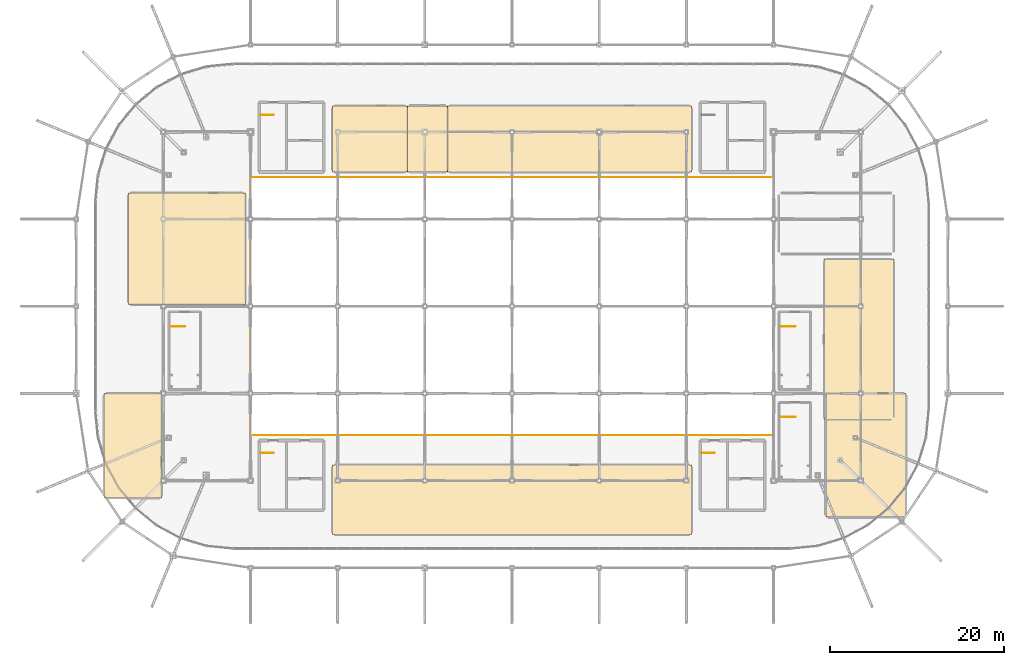
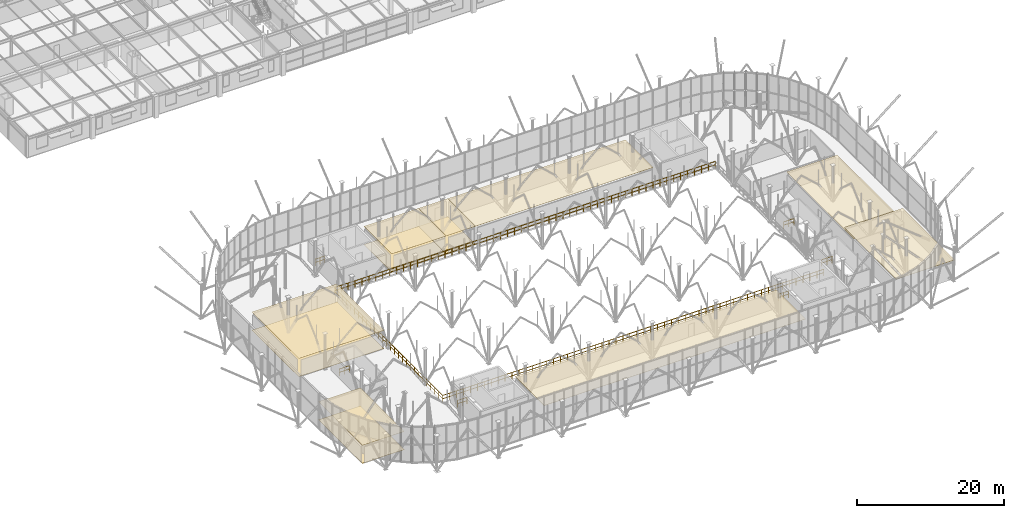
# One storey, part 105 of 109: 12 coverings, 9 railings.
"""IFC4 building model written with IfcOpenShell, lengths in metres."""

from ifc_helpers import new_model, si_unit, derived_unit, direction, frame, origin, origin_2d_with_axis, place, context, subcontext, project, spatial, polyline, circle, outline, extrude, material, layer, layer_set, type_object, element, save


model = new_model("IFC4")

# Units and contexts
model_context = context("Model", 3, precision=1e-05, world=origin(), true_north=direction((0.0, 1.0)))
body_context = subcontext(model_context, "Body", "Model", "MODEL_VIEW")
ifc_project = project(units=[si_unit("LENGTHUNIT", "METRE"), si_unit("AREAUNIT", "SQUARE_METRE"), si_unit("VOLUMEUNIT", "CUBIC_METRE"), si_unit("PLANEANGLEUNIT", "RADIAN"), si_unit("MASSUNIT", "GRAM", prefix="KILO"), derived_unit("THERMALTRANSMITTANCEUNIT", [(si_unit("POWERUNIT", "WATT"), 1), (si_unit("LENGTHUNIT", "METRE"), -2), (si_unit("THERMODYNAMICTEMPERATUREUNIT", "KELVIN"), -1)])], contexts=[model_context])

# Site, building, storey
site_placement = place(None, origin())
site = spatial("IfcSite", under=ifc_project, at=site_placement, CompositionType="ELEMENT")
building_placement = place(site_placement, origin())
building = spatial("IfcBuilding", under=site, at=building_placement, Name="Cinnabar Yard Market Hall", CompositionType="ELEMENT")
storey_placement = place(building_placement, frame((0.0, 0.0, 8.39990234375)))
storey = spatial("IfcBuildingStorey", under=building, at=storey_placement, Name="L02", CompositionType="ELEMENT", Elevation=8.39990234375)

# Coverings
ifc_material_1 = material(Name="Perforated acoustic spotted-gum timber slats", Category="wood")
ifc_layer_1 = layer(ifc_material_1, 0.0400390625)
ifc_layer_set_1 = layer_set([ifc_layer_1], Name="Perforated acoustic spotted-gum timber slats")
covering_type_1 = type_object("IfcCoveringType", Name="COV-CLG1", PredefinedType="CEILING", material=ifc_layer_set_1)
covering_1_placement = place(storey_placement, frame((0.0, 0.0, 3.0)))
element("IfcCovering", 1, at=covering_1_placement, inside=storey, type_object=covering_type_1, Name="Ceiling Upper Balcony South Culinary Promenade", PredefinedType="CEILING", context=body_context, shape_type="SweptSolid", body=[
    extrude(outline(polyline([(95.39990234375, 17.800048828125), (136.60009765625, 17.800048828125), (136.60009765625, 25.800048828125), (95.39990234375, 25.800048828125), (95.39990234375, 17.800048828125)])), origin(), (0.0, 0.0, 1.0), 0.03515625),
])
covering_2_placement = place(storey_placement, frame((0.0, 0.0, 3.0)))
element("IfcCovering", 2, at=covering_2_placement, inside=storey, type_object=covering_type_1, Name="Ceiling Upper North-West Tasting Gallery", PredefinedType="CEILING", context=body_context, shape_type="SweptSolid", body=[
    extrude(outline(polyline([(95.39990234375, 59.39990234375), (104.0, 59.39990234375), (104.0, 67.0), (95.39990234375, 67.0), (95.39990234375, 59.39990234375)])), origin(), (0.0, 0.0, 1.0), 0.03515625),
])
covering_3_placement = place(storey_placement, frame((0.0, 0.0, 3.0)))
element("IfcCovering", 3, at=covering_3_placement, inside=storey, type_object=covering_type_1, Name="Ceiling Upper North-East Botanical Lounge", PredefinedType="CEILING", context=body_context, shape_type="SweptSolid", body=[
    extrude(outline(polyline([(108.60009765625, 59.39990234375), (136.60009765625, 59.39990234375), (136.60009765625, 67.0), (108.60009765625, 67.0), (108.60009765625, 59.39990234375)])), origin(), (0.0, 0.0, 1.0), 0.03515625),
])
covering_4_placement = place(storey_placement, frame((0.0, 0.0, 3.0)))
element("IfcCovering", 4, at=covering_4_placement, inside=storey, type_object=covering_type_1, Name="Ceiling Upper West Mughal Dining Pavilion", PredefinedType="CEILING", context=body_context, shape_type="SweptSolid", body=[
    extrude(outline(polyline([(72.0, 44.199951171875), (85.39990234375, 44.199951171875), (85.39990234375, 57.0), (72.0, 57.0), (72.0, 44.199951171875)])), origin(), (0.0, 0.0, 1.0), 0.03515625),
])
covering_5_placement = place(storey_placement, frame((0.0, 0.0, 3.0)))
element("IfcCovering", 5, at=covering_5_placement, inside=storey, type_object=covering_type_1, Name="Ceiling Upper East Regional Feast Room", PredefinedType="CEILING", context=body_context, shape_type="SweptSolid", body=[
    extrude(outline(polyline([(151.800048828125, 31.0), (159.800048828125, 31.0), (159.800048828125, 49.39990234375), (151.800048828125, 49.39990234375), (151.800048828125, 31.0)])), origin(), (0.0, 0.0, 1.0), 0.03515625),
])
covering_6_placement = place(storey_placement, frame((0.0, 0.0, 3.0)))
element("IfcCovering", 6, at=covering_6_placement, inside=storey, type_object=covering_type_1, Name="Ceiling Upper West Artisan Tasting Gallery", PredefinedType="CEILING", context=body_context, shape_type="SweptSolid", body=[
    extrude(outline(polyline([(69.199951171875, 22.0), (75.800048828125, 22.0), (75.800048828125, 34.0), (69.199951171875, 34.0), (69.199951171875, 22.0)])), origin(), (0.0, 0.0, 1.0), 0.03515625),
])
covering_7_placement = place(storey_placement, frame((0.0, 0.0, 3.0)))
element("IfcCovering", 7, at=covering_7_placement, inside=storey, type_object=covering_type_1, Name="Ceiling Upper South-East Spice Tasting Gallery", PredefinedType="CEILING", context=body_context, shape_type="SweptSolid", body=[
    extrude(outline(polyline([(152.0, 19.800048828125), (161.199951171875, 19.800048828125), (161.199951171875, 34.0), (152.0, 34.0), (152.0, 19.800048828125)])), origin(), (0.0, 0.0, 1.0), 0.03515625),
])
covering_8_placement = place(storey_placement, frame((0.0, 0.0, 3.0)))
element("IfcCovering", 8, at=covering_8_placement, inside=storey, type_object=covering_type_1, Name="Ceiling Upper North-Central Saffron Gallery", PredefinedType="CEILING", context=body_context, shape_type="SweptSolid", body=[
    extrude(outline(polyline([(104.0, 59.39990234375), (108.60009765625, 59.39990234375), (108.60009765625, 67.0), (104.0, 67.0), (104.0, 59.39990234375)])), origin(), (0.0, 0.0, 1.0), 0.03515625),
])
ifc_material_2 = material(Name="Honed Adelaide red terrazzo flooring")
ifc_layer_2 = layer(ifc_material_2, 0.030029296875)
ifc_layer_set_2 = layer_set([ifc_layer_2], Name="Honed Adelaide red terrazzo flooring")
covering_type_2 = type_object("IfcCoveringType", Name="COV-FLR1", PredefinedType="FLOORING", material=ifc_layer_set_2)
covering_9_placement = place(storey_placement, origin())
element("IfcCovering", 9, at=covering_9_placement, inside=storey, type_object=covering_type_2, Name="Flooring Upper North-West Tasting Gallery", PredefinedType="FLOORING", context=body_context, shape_type="SweptSolid", body=[
    extrude(outline(polyline([(95.39990234375, 59.39990234375), (104.0, 59.39990234375), (104.0, 67.0), (95.39990234375, 67.0), (95.39990234375, 59.39990234375)])), origin(), (0.0, 0.0, 1.0), 0.025146484375),
])
covering_10_placement = place(storey_placement, origin())
element("IfcCovering", 10, at=covering_10_placement, inside=storey, type_object=covering_type_2, Name="Flooring Upper West Mughal Dining Pavilion", PredefinedType="FLOORING", context=body_context, shape_type="SweptSolid", body=[
    extrude(outline(polyline([(72.0, 44.199951171875), (85.39990234375, 44.199951171875), (85.39990234375, 57.0), (72.0, 57.0), (72.0, 44.199951171875)])), origin(), (0.0, 0.0, 1.0), 0.025146484375),
])
ifc_material_3 = material(Name="Slip-resistant commercial quarry tile")
ifc_layer_3 = layer(ifc_material_3, 0.02490234375)
ifc_layer_set_3 = layer_set([ifc_layer_3], Name="Slip-resistant commercial quarry tile")
covering_type_3 = type_object("IfcCoveringType", Name="COV-FLR2", PredefinedType="FLOORING", material=ifc_layer_set_3)
covering_11_placement = place(storey_placement, origin())
element("IfcCovering", 11, at=covering_11_placement, inside=storey, type_object=covering_type_3, Name="Flooring Upper West Artisan Tasting Gallery", PredefinedType="FLOORING", context=body_context, shape_type="SweptSolid", body=[
    extrude(outline(polyline([(69.199951171875, 22.0), (75.800048828125, 22.0), (75.800048828125, 34.0), (69.199951171875, 34.0), (69.199951171875, 22.0)])), origin(), (0.0, 0.0, 1.0), 0.025146484375),
])
covering_12_placement = place(storey_placement, origin())
element("IfcCovering", 12, at=covering_12_placement, inside=storey, type_object=covering_type_3, Name="Flooring Upper North-Central Saffron Gallery", PredefinedType="FLOORING", context=body_context, shape_type="SweptSolid", body=[
    extrude(outline(polyline([(104.0, 59.39990234375), (108.60009765625, 59.39990234375), (108.60009765625, 67.0), (104.0, 67.0), (104.0, 59.39990234375)])), origin(), (0.0, 0.0, 1.0), 0.025146484375),
])

# Railings
ifc_material_4 = material(Name="Laminated glass and bronze handrail", Category="glass")
ifc_layer_4 = layer(ifc_material_4, 0.070068359375)
ifc_layer_set_4 = layer_set([ifc_layer_4], Name="Laminated glass and bronze handrail")
railing_type_1 = type_object("IfcRailingType", Name="RL-G01", PredefinedType="BALUSTRADE", material=ifc_layer_set_4)
for number, where, name in (
    (13, (76.89990234375, 41.699951171875, 0.0), "L02 ST-F1 top well guard 1"),
    (14, (146.89990234375, 41.699951171875, 0.0), "L02 ST-F2 top well guard 1"),
    (15, (146.89990234375, 31.300048828125, 0.0), "L02 ST-F5 top well guard 1"),
):
    element("IfcRailing", number, at=place(storey_placement, frame(where)), inside=storey, type_object=railing_type_1, Name=name, PredefinedType="BALUSTRADE", context=body_context, shape_type="SweptSolid", body=[
        extrude(circle(Radius=0.02392578125, at=origin_2d_with_axis()), frame((0.0, 0.0, 1.09619140625), z_axis=(1.0, 0.0, 0.0), x_axis=(0.0, 1.0, 0.0)), (0.0, 0.0, 1.0), 1.610107421875),
        extrude(circle(Radius=0.02392578125, at=origin_2d_with_axis()), frame((0.0, 0.0, 0.550048828125), z_axis=(1.0, 0.0, 0.0), x_axis=(0.0, 1.0, 0.0)), (0.0, 0.0, 1.0), 1.610107421875),
        extrude(circle(Radius=0.02099609375, at=origin_2d_with_axis()), origin(), (0.0, 0.0, 1.0), 1.072021484375),
        extrude(circle(Radius=0.02099609375, at=origin_2d_with_axis()), frame((0.80517578125, 0.0, 0.0)), (0.0, 0.0, 1.0), 1.072021484375),
        extrude(circle(Radius=0.02099609375, at=origin_2d_with_axis()), frame((1.610107421875, 0.0, 0.0)), (0.0, 0.0, 1.0), 1.072021484375),
    ])
railing_1_placement = place(storey_placement, frame((86.0, 29.199951171875, 0.0)))
element("IfcRailing", 16, at=railing_1_placement, inside=storey, type_object=railing_type_1, Name="L02 Upper Balcony Void Balustrade 1", PredefinedType="BALUSTRADE", context=body_context, shape_type="SweptSolid", body=[
    extrude(circle(Radius=0.02392578125, at=origin_2d_with_axis()), frame((0.0, 0.0, 1.09619140625), z_axis=(1.0, 0.0, 0.0), x_axis=(0.0, 1.0, 0.0)), (0.0, 0.0, 1.0), 60.0),
    extrude(circle(Radius=0.02392578125, at=origin_2d_with_axis()), frame((0.0, 0.0, 0.550048828125), z_axis=(1.0, 0.0, 0.0), x_axis=(0.0, 1.0, 0.0)), (0.0, 0.0, 1.0), 60.0),
    extrude(circle(Radius=0.02099609375, at=origin_2d_with_axis()), origin(), (0.0, 0.0, 1.0), 1.072021484375),
    extrude(circle(Radius=0.02099609375, at=origin_2d_with_axis()), frame((1.0908203125, 0.0, 0.0)), (0.0, 0.0, 1.0), 1.072021484375),
    extrude(circle(Radius=0.02099609375, at=origin_2d_with_axis()), frame((2.181884765625, 0.0, 0.0)), (0.0, 0.0, 1.0), 1.072021484375),
    extrude(circle(Radius=0.02099609375, at=origin_2d_with_axis()), frame((3.272705078125, 0.0, 0.0)), (0.0, 0.0, 1.0), 1.072021484375),
    extrude(circle(Radius=0.02099609375, at=origin_2d_with_axis()), frame((4.363525390625, 0.0, 0.0)), (0.0, 0.0, 1.0), 1.072021484375),
    extrude(circle(Radius=0.02099609375, at=origin_2d_with_axis()), frame((5.45458984375, 0.0, 0.0)), (0.0, 0.0, 1.0), 1.072021484375),
    extrude(circle(Radius=0.02099609375, at=origin_2d_with_axis()), frame((6.54541015625, 0.0, 0.0)), (0.0, 0.0, 1.0), 1.072021484375),
    extrude(circle(Radius=0.02099609375, at=origin_2d_with_axis()), frame((7.636474609375, 0.0, 0.0)), (0.0, 0.0, 1.0), 1.072021484375),
    extrude(circle(Radius=0.02099609375, at=origin_2d_with_axis()), frame((8.727294921875, 0.0, 0.0)), (0.0, 0.0, 1.0), 1.072021484375),
    extrude(circle(Radius=0.02099609375, at=origin_2d_with_axis()), frame((9.818115234375, 0.0, 0.0)), (0.0, 0.0, 1.0), 1.072021484375),
    extrude(circle(Radius=0.02099609375, at=origin_2d_with_axis()), frame((10.9091796875, 0.0, 0.0)), (0.0, 0.0, 1.0), 1.072021484375),
    extrude(circle(Radius=0.02099609375, at=origin_2d_with_axis()), frame((12.0, 0.0, 0.0)), (0.0, 0.0, 1.0), 1.072021484375),
    extrude(circle(Radius=0.02099609375, at=origin_2d_with_axis()), frame((13.0908203125, 0.0, 0.0)), (0.0, 0.0, 1.0), 1.072021484375),
    extrude(circle(Radius=0.02099609375, at=origin_2d_with_axis()), frame((14.181884765625, 0.0, 0.0)), (0.0, 0.0, 1.0), 1.072021484375),
    extrude(circle(Radius=0.02099609375, at=origin_2d_with_axis()), frame((15.272705078125, 0.0, 0.0)), (0.0, 0.0, 1.0), 1.072021484375),
    extrude(circle(Radius=0.02099609375, at=origin_2d_with_axis()), frame((16.363525390625, 0.0, 0.0)), (0.0, 0.0, 1.0), 1.072021484375),
    extrude(circle(Radius=0.02099609375, at=origin_2d_with_axis()), frame((17.45458984375, 0.0, 0.0)), (0.0, 0.0, 1.0), 1.072021484375),
    extrude(circle(Radius=0.02099609375, at=origin_2d_with_axis()), frame((18.54541015625, 0.0, 0.0)), (0.0, 0.0, 1.0), 1.072021484375),
    extrude(circle(Radius=0.02099609375, at=origin_2d_with_axis()), frame((19.636474609375, 0.0, 0.0)), (0.0, 0.0, 1.0), 1.072021484375),
    extrude(circle(Radius=0.02099609375, at=origin_2d_with_axis()), frame((20.727294921875, 0.0, 0.0)), (0.0, 0.0, 1.0), 1.072021484375),
    extrude(circle(Radius=0.02099609375, at=origin_2d_with_axis()), frame((21.818115234375, 0.0, 0.0)), (0.0, 0.0, 1.0), 1.072021484375),
    extrude(circle(Radius=0.02099609375, at=origin_2d_with_axis()), frame((22.9091796875, 0.0, 0.0)), (0.0, 0.0, 1.0), 1.072021484375),
    extrude(circle(Radius=0.02099609375, at=origin_2d_with_axis()), frame((24.0, 0.0, 0.0)), (0.0, 0.0, 1.0), 1.072021484375),
    extrude(circle(Radius=0.02099609375, at=origin_2d_with_axis()), frame((25.0908203125, 0.0, 0.0)), (0.0, 0.0, 1.0), 1.072021484375),
    extrude(circle(Radius=0.02099609375, at=origin_2d_with_axis()), frame((26.181884765625, 0.0, 0.0)), (0.0, 0.0, 1.0), 1.072021484375),
    extrude(circle(Radius=0.02099609375, at=origin_2d_with_axis()), frame((27.272705078125, 0.0, 0.0)), (0.0, 0.0, 1.0), 1.072021484375),
    extrude(circle(Radius=0.02099609375, at=origin_2d_with_axis()), frame((28.363525390625, 0.0, 0.0)), (0.0, 0.0, 1.0), 1.072021484375),
    extrude(circle(Radius=0.02099609375, at=origin_2d_with_axis()), frame((29.45458984375, 0.0, 0.0)), (0.0, 0.0, 1.0), 1.072021484375),
    extrude(circle(Radius=0.02099609375, at=origin_2d_with_axis()), frame((30.54541015625, 0.0, 0.0)), (0.0, 0.0, 1.0), 1.072021484375),
    extrude(circle(Radius=0.02099609375, at=origin_2d_with_axis()), frame((31.636474609375, 0.0, 0.0)), (0.0, 0.0, 1.0), 1.072021484375),
    extrude(circle(Radius=0.02099609375, at=origin_2d_with_axis()), frame((32.727294921875, 0.0, 0.0)), (0.0, 0.0, 1.0), 1.072021484375),
    extrude(circle(Radius=0.02099609375, at=origin_2d_with_axis()), frame((33.818115234375, 0.0, 0.0)), (0.0, 0.0, 1.0), 1.072021484375),
    extrude(circle(Radius=0.02099609375, at=origin_2d_with_axis()), frame((34.9091796875, 0.0, 0.0)), (0.0, 0.0, 1.0), 1.072021484375),
    extrude(circle(Radius=0.02099609375, at=origin_2d_with_axis()), frame((36.0, 0.0, 0.0)), (0.0, 0.0, 1.0), 1.072021484375),
    extrude(circle(Radius=0.02099609375, at=origin_2d_with_axis()), frame((37.0908203125, 0.0, 0.0)), (0.0, 0.0, 1.0), 1.072021484375),
    extrude(circle(Radius=0.02099609375, at=origin_2d_with_axis()), frame((38.181884765625, 0.0, 0.0)), (0.0, 0.0, 1.0), 1.072021484375),
    extrude(circle(Radius=0.02099609375, at=origin_2d_with_axis()), frame((39.272705078125, 0.0, 0.0)), (0.0, 0.0, 1.0), 1.072021484375),
    extrude(circle(Radius=0.02099609375, at=origin_2d_with_axis()), frame((40.363525390625, 0.0, 0.0)), (0.0, 0.0, 1.0), 1.072021484375),
    extrude(circle(Radius=0.02099609375, at=origin_2d_with_axis()), frame((41.45458984375, 0.0, 0.0)), (0.0, 0.0, 1.0), 1.072021484375),
    extrude(circle(Radius=0.02099609375, at=origin_2d_with_axis()), frame((42.54541015625, 0.0, 0.0)), (0.0, 0.0, 1.0), 1.072021484375),
    extrude(circle(Radius=0.02099609375, at=origin_2d_with_axis()), frame((43.636474609375, 0.0, 0.0)), (0.0, 0.0, 1.0), 1.072021484375),
    extrude(circle(Radius=0.02099609375, at=origin_2d_with_axis()), frame((44.727294921875, 0.0, 0.0)), (0.0, 0.0, 1.0), 1.072021484375),
    extrude(circle(Radius=0.02099609375, at=origin_2d_with_axis()), frame((45.818115234375, 0.0, 0.0)), (0.0, 0.0, 1.0), 1.072021484375),
    extrude(circle(Radius=0.02099609375, at=origin_2d_with_axis()), frame((46.9091796875, 0.0, 0.0)), (0.0, 0.0, 1.0), 1.072021484375),
    extrude(circle(Radius=0.02099609375, at=origin_2d_with_axis()), frame((48.0, 0.0, 0.0)), (0.0, 0.0, 1.0), 1.072021484375),
    extrude(circle(Radius=0.02099609375, at=origin_2d_with_axis()), frame((49.0908203125, 0.0, 0.0)), (0.0, 0.0, 1.0), 1.072021484375),
    extrude(circle(Radius=0.02099609375, at=origin_2d_with_axis()), frame((50.181884765625, 0.0, 0.0)), (0.0, 0.0, 1.0), 1.072021484375),
    extrude(circle(Radius=0.02099609375, at=origin_2d_with_axis()), frame((51.272705078125, 0.0, 0.0)), (0.0, 0.0, 1.0), 1.072021484375),
    extrude(circle(Radius=0.02099609375, at=origin_2d_with_axis()), frame((52.363525390625, 0.0, 0.0)), (0.0, 0.0, 1.0), 1.072021484375),
    extrude(circle(Radius=0.02099609375, at=origin_2d_with_axis()), frame((53.45458984375, 0.0, 0.0)), (0.0, 0.0, 1.0), 1.072021484375),
    extrude(circle(Radius=0.02099609375, at=origin_2d_with_axis()), frame((54.54541015625, 0.0, 0.0)), (0.0, 0.0, 1.0), 1.072021484375),
    extrude(circle(Radius=0.02099609375, at=origin_2d_with_axis()), frame((55.636474609375, 0.0, 0.0)), (0.0, 0.0, 1.0), 1.072021484375),
    extrude(circle(Radius=0.02099609375, at=origin_2d_with_axis()), frame((56.727294921875, 0.0, 0.0)), (0.0, 0.0, 1.0), 1.072021484375),
    extrude(circle(Radius=0.02099609375, at=origin_2d_with_axis()), frame((57.818115234375, 0.0, 0.0)), (0.0, 0.0, 1.0), 1.072021484375),
    extrude(circle(Radius=0.02099609375, at=origin_2d_with_axis()), frame((58.9091796875, 0.0, 0.0)), (0.0, 0.0, 1.0), 1.072021484375),
    extrude(circle(Radius=0.02099609375, at=origin_2d_with_axis()), frame((60.0, 0.0, 0.0)), (0.0, 0.0, 1.0), 1.072021484375),
])
railing_2_placement = place(storey_placement, frame((146.0, 58.800048828125, 0.0)))
element("IfcRailing", 17, at=railing_2_placement, inside=storey, type_object=railing_type_1, Name="L02 Upper Balcony Void Balustrade 3", PredefinedType="BALUSTRADE", context=body_context, shape_type="SweptSolid", body=[
    extrude(circle(Radius=0.02392578125, at=origin_2d_with_axis()), frame((0.0, 0.0, 1.09619140625), z_axis=(-1.0, 0.0, 0.0), x_axis=(0.0, -1.0, 0.0)), (0.0, 0.0, 1.0), 60.0),
    extrude(circle(Radius=0.02392578125, at=origin_2d_with_axis()), frame((0.0, 0.0, 0.550048828125), z_axis=(-1.0, 0.0, 0.0), x_axis=(0.0, -1.0, 0.0)), (0.0, 0.0, 1.0), 60.0),
    extrude(circle(Radius=0.02099609375, at=origin_2d_with_axis()), origin(), (0.0, 0.0, 1.0), 1.072021484375),
    extrude(circle(Radius=0.02099609375, at=origin_2d_with_axis()), frame((-1.0908203125, 0.0, 0.0)), (0.0, 0.0, 1.0), 1.072021484375),
    extrude(circle(Radius=0.02099609375, at=origin_2d_with_axis()), frame((-2.181884765625, 0.0, 0.0)), (0.0, 0.0, 1.0), 1.072021484375),
    extrude(circle(Radius=0.02099609375, at=origin_2d_with_axis()), frame((-3.272705078125, 0.0, 0.0)), (0.0, 0.0, 1.0), 1.072021484375),
    extrude(circle(Radius=0.02099609375, at=origin_2d_with_axis()), frame((-4.363525390625, 0.0, 0.0)), (0.0, 0.0, 1.0), 1.072021484375),
    extrude(circle(Radius=0.02099609375, at=origin_2d_with_axis()), frame((-5.45458984375, 0.0, 0.0)), (0.0, 0.0, 1.0), 1.072021484375),
    extrude(circle(Radius=0.02099609375, at=origin_2d_with_axis()), frame((-6.54541015625, 0.0, 0.0)), (0.0, 0.0, 1.0), 1.072021484375),
    extrude(circle(Radius=0.02099609375, at=origin_2d_with_axis()), frame((-7.636474609375, 0.0, 0.0)), (0.0, 0.0, 1.0), 1.072021484375),
    extrude(circle(Radius=0.02099609375, at=origin_2d_with_axis()), frame((-8.727294921875, 0.0, 0.0)), (0.0, 0.0, 1.0), 1.072021484375),
    extrude(circle(Radius=0.02099609375, at=origin_2d_with_axis()), frame((-9.818115234375, 0.0, 0.0)), (0.0, 0.0, 1.0), 1.072021484375),
    extrude(circle(Radius=0.02099609375, at=origin_2d_with_axis()), frame((-10.9091796875, 0.0, 0.0)), (0.0, 0.0, 1.0), 1.072021484375),
    extrude(circle(Radius=0.02099609375, at=origin_2d_with_axis()), frame((-12.0, 0.0, 0.0)), (0.0, 0.0, 1.0), 1.072021484375),
    extrude(circle(Radius=0.02099609375, at=origin_2d_with_axis()), frame((-13.0908203125, 0.0, 0.0)), (0.0, 0.0, 1.0), 1.072021484375),
    extrude(circle(Radius=0.02099609375, at=origin_2d_with_axis()), frame((-14.181884765625, 0.0, 0.0)), (0.0, 0.0, 1.0), 1.072021484375),
    extrude(circle(Radius=0.02099609375, at=origin_2d_with_axis()), frame((-15.272705078125, 0.0, 0.0)), (0.0, 0.0, 1.0), 1.072021484375),
    extrude(circle(Radius=0.02099609375, at=origin_2d_with_axis()), frame((-16.363525390625, 0.0, 0.0)), (0.0, 0.0, 1.0), 1.072021484375),
    extrude(circle(Radius=0.02099609375, at=origin_2d_with_axis()), frame((-17.45458984375, 0.0, 0.0)), (0.0, 0.0, 1.0), 1.072021484375),
    extrude(circle(Radius=0.02099609375, at=origin_2d_with_axis()), frame((-18.54541015625, 0.0, 0.0)), (0.0, 0.0, 1.0), 1.072021484375),
    extrude(circle(Radius=0.02099609375, at=origin_2d_with_axis()), frame((-19.636474609375, 0.0, 0.0)), (0.0, 0.0, 1.0), 1.072021484375),
    extrude(circle(Radius=0.02099609375, at=origin_2d_with_axis()), frame((-20.727294921875, 0.0, 0.0)), (0.0, 0.0, 1.0), 1.072021484375),
    extrude(circle(Radius=0.02099609375, at=origin_2d_with_axis()), frame((-21.818115234375, 0.0, 0.0)), (0.0, 0.0, 1.0), 1.072021484375),
    extrude(circle(Radius=0.02099609375, at=origin_2d_with_axis()), frame((-22.9091796875, 0.0, 0.0)), (0.0, 0.0, 1.0), 1.072021484375),
    extrude(circle(Radius=0.02099609375, at=origin_2d_with_axis()), frame((-24.0, 0.0, 0.0)), (0.0, 0.0, 1.0), 1.072021484375),
    extrude(circle(Radius=0.02099609375, at=origin_2d_with_axis()), frame((-25.0908203125, 0.0, 0.0)), (0.0, 0.0, 1.0), 1.072021484375),
    extrude(circle(Radius=0.02099609375, at=origin_2d_with_axis()), frame((-26.181884765625, 0.0, 0.0)), (0.0, 0.0, 1.0), 1.072021484375),
    extrude(circle(Radius=0.02099609375, at=origin_2d_with_axis()), frame((-27.272705078125, 0.0, 0.0)), (0.0, 0.0, 1.0), 1.072021484375),
    extrude(circle(Radius=0.02099609375, at=origin_2d_with_axis()), frame((-28.363525390625, 0.0, 0.0)), (0.0, 0.0, 1.0), 1.072021484375),
    extrude(circle(Radius=0.02099609375, at=origin_2d_with_axis()), frame((-29.45458984375, 0.0, 0.0)), (0.0, 0.0, 1.0), 1.072021484375),
    extrude(circle(Radius=0.02099609375, at=origin_2d_with_axis()), frame((-30.54541015625, 0.0, 0.0)), (0.0, 0.0, 1.0), 1.072021484375),
    extrude(circle(Radius=0.02099609375, at=origin_2d_with_axis()), frame((-31.636474609375, 0.0, 0.0)), (0.0, 0.0, 1.0), 1.072021484375),
    extrude(circle(Radius=0.02099609375, at=origin_2d_with_axis()), frame((-32.727294921875, 0.0, 0.0)), (0.0, 0.0, 1.0), 1.072021484375),
    extrude(circle(Radius=0.02099609375, at=origin_2d_with_axis()), frame((-33.818115234375, 0.0, 0.0)), (0.0, 0.0, 1.0), 1.072021484375),
    extrude(circle(Radius=0.02099609375, at=origin_2d_with_axis()), frame((-34.9091796875, 0.0, 0.0)), (0.0, 0.0, 1.0), 1.072021484375),
    extrude(circle(Radius=0.02099609375, at=origin_2d_with_axis()), frame((-36.0, 0.0, 0.0)), (0.0, 0.0, 1.0), 1.072021484375),
    extrude(circle(Radius=0.02099609375, at=origin_2d_with_axis()), frame((-37.0908203125, 0.0, 0.0)), (0.0, 0.0, 1.0), 1.072021484375),
    extrude(circle(Radius=0.02099609375, at=origin_2d_with_axis()), frame((-38.181884765625, 0.0, 0.0)), (0.0, 0.0, 1.0), 1.072021484375),
    extrude(circle(Radius=0.02099609375, at=origin_2d_with_axis()), frame((-39.272705078125, 0.0, 0.0)), (0.0, 0.0, 1.0), 1.072021484375),
    extrude(circle(Radius=0.02099609375, at=origin_2d_with_axis()), frame((-40.363525390625, 0.0, 0.0)), (0.0, 0.0, 1.0), 1.072021484375),
    extrude(circle(Radius=0.02099609375, at=origin_2d_with_axis()), frame((-41.45458984375, 0.0, 0.0)), (0.0, 0.0, 1.0), 1.072021484375),
    extrude(circle(Radius=0.02099609375, at=origin_2d_with_axis()), frame((-42.54541015625, 0.0, 0.0)), (0.0, 0.0, 1.0), 1.072021484375),
    extrude(circle(Radius=0.02099609375, at=origin_2d_with_axis()), frame((-43.636474609375, 0.0, 0.0)), (0.0, 0.0, 1.0), 1.072021484375),
    extrude(circle(Radius=0.02099609375, at=origin_2d_with_axis()), frame((-44.727294921875, 0.0, 0.0)), (0.0, 0.0, 1.0), 1.072021484375),
    extrude(circle(Radius=0.02099609375, at=origin_2d_with_axis()), frame((-45.818115234375, 0.0, 0.0)), (0.0, 0.0, 1.0), 1.072021484375),
    extrude(circle(Radius=0.02099609375, at=origin_2d_with_axis()), frame((-46.9091796875, 0.0, 0.0)), (0.0, 0.0, 1.0), 1.072021484375),
    extrude(circle(Radius=0.02099609375, at=origin_2d_with_axis()), frame((-48.0, 0.0, 0.0)), (0.0, 0.0, 1.0), 1.072021484375),
    extrude(circle(Radius=0.02099609375, at=origin_2d_with_axis()), frame((-49.0908203125, 0.0, 0.0)), (0.0, 0.0, 1.0), 1.072021484375),
    extrude(circle(Radius=0.02099609375, at=origin_2d_with_axis()), frame((-50.181884765625, 0.0, 0.0)), (0.0, 0.0, 1.0), 1.072021484375),
    extrude(circle(Radius=0.02099609375, at=origin_2d_with_axis()), frame((-51.272705078125, 0.0, 0.0)), (0.0, 0.0, 1.0), 1.072021484375),
    extrude(circle(Radius=0.02099609375, at=origin_2d_with_axis()), frame((-52.363525390625, 0.0, 0.0)), (0.0, 0.0, 1.0), 1.072021484375),
    extrude(circle(Radius=0.02099609375, at=origin_2d_with_axis()), frame((-53.45458984375, 0.0, 0.0)), (0.0, 0.0, 1.0), 1.072021484375),
    extrude(circle(Radius=0.02099609375, at=origin_2d_with_axis()), frame((-54.54541015625, 0.0, 0.0)), (0.0, 0.0, 1.0), 1.072021484375),
    extrude(circle(Radius=0.02099609375, at=origin_2d_with_axis()), frame((-55.636474609375, 0.0, 0.0)), (0.0, 0.0, 1.0), 1.072021484375),
    extrude(circle(Radius=0.02099609375, at=origin_2d_with_axis()), frame((-56.727294921875, 0.0, 0.0)), (0.0, 0.0, 1.0), 1.072021484375),
    extrude(circle(Radius=0.02099609375, at=origin_2d_with_axis()), frame((-57.818115234375, 0.0, 0.0)), (0.0, 0.0, 1.0), 1.072021484375),
    extrude(circle(Radius=0.02099609375, at=origin_2d_with_axis()), frame((-58.9091796875, 0.0, 0.0)), (0.0, 0.0, 1.0), 1.072021484375),
    extrude(circle(Radius=0.02099609375, at=origin_2d_with_axis()), frame((-60.0, 0.0, 0.0)), (0.0, 0.0, 1.0), 1.072021484375),
])
railing_3_placement = place(storey_placement, frame((86.0, 58.800048828125, 0.0)))
element("IfcRailing", 18, at=railing_3_placement, inside=storey, type_object=railing_type_1, Name="L02 Upper Balcony Void Balustrade 4", PredefinedType="BALUSTRADE", context=body_context, shape_type="SweptSolid", body=[
    extrude(circle(Radius=0.02392578125, at=origin_2d_with_axis()), frame((0.0, 0.0, 1.09619140625), z_axis=(0.0, -1.0, 0.0), x_axis=(1.0, 0.0, 0.0)), (0.0, 0.0, 1.0), 29.60009765625),
    extrude(circle(Radius=0.02392578125, at=origin_2d_with_axis()), frame((0.0, 0.0, 0.550048828125), z_axis=(0.0, -1.0, 0.0), x_axis=(1.0, 0.0, 0.0)), (0.0, 0.0, 1.0), 29.60009765625),
    extrude(circle(Radius=0.02099609375, at=origin_2d_with_axis()), origin(), (0.0, 0.0, 1.0), 1.072021484375),
    extrude(circle(Radius=0.02099609375, at=origin_2d_with_axis()), frame((0.0, -1.09619140625, 0.0)), (0.0, 0.0, 1.0), 1.072021484375),
    extrude(circle(Radius=0.02099609375, at=origin_2d_with_axis()), frame((0.0, -2.192626953125, 0.0)), (0.0, 0.0, 1.0), 1.072021484375),
    extrude(circle(Radius=0.02099609375, at=origin_2d_with_axis()), frame((0.0, -3.288818359375, 0.0)), (0.0, 0.0, 1.0), 1.072021484375),
    extrude(circle(Radius=0.02099609375, at=origin_2d_with_axis()), frame((0.0, -4.38525390625, 0.0)), (0.0, 0.0, 1.0), 1.072021484375),
    extrude(circle(Radius=0.02099609375, at=origin_2d_with_axis()), frame((0.0, -5.4814453125, 0.0)), (0.0, 0.0, 1.0), 1.072021484375),
    extrude(circle(Radius=0.02099609375, at=origin_2d_with_axis()), frame((0.0, -6.577880859375, 0.0)), (0.0, 0.0, 1.0), 1.072021484375),
    extrude(circle(Radius=0.02099609375, at=origin_2d_with_axis()), frame((0.0, -7.674072265625, 0.0)), (0.0, 0.0, 1.0), 1.072021484375),
    extrude(circle(Radius=0.02099609375, at=origin_2d_with_axis()), frame((0.0, -8.7705078125, 0.0)), (0.0, 0.0, 1.0), 1.072021484375),
    extrude(circle(Radius=0.02099609375, at=origin_2d_with_axis()), frame((0.0, -9.86669921875, 0.0)), (0.0, 0.0, 1.0), 1.072021484375),
    extrude(circle(Radius=0.02099609375, at=origin_2d_with_axis()), frame((0.0, -10.962890625, 0.0)), (0.0, 0.0, 1.0), 1.072021484375),
    extrude(circle(Radius=0.02099609375, at=origin_2d_with_axis()), frame((0.0, -12.059326171875, 0.0)), (0.0, 0.0, 1.0), 1.072021484375),
    extrude(circle(Radius=0.02099609375, at=origin_2d_with_axis()), frame((0.0, -13.155517578125, 0.0)), (0.0, 0.0, 1.0), 1.072021484375),
    extrude(circle(Radius=0.02099609375, at=origin_2d_with_axis()), frame((0.0, -14.251953125, 0.0)), (0.0, 0.0, 1.0), 1.072021484375),
    extrude(circle(Radius=0.02099609375, at=origin_2d_with_axis()), frame((0.0, -15.34814453125, 0.0)), (0.0, 0.0, 1.0), 1.072021484375),
    extrude(circle(Radius=0.02099609375, at=origin_2d_with_axis()), frame((0.0, -16.444580078125, 0.0)), (0.0, 0.0, 1.0), 1.072021484375),
    extrude(circle(Radius=0.02099609375, at=origin_2d_with_axis()), frame((0.0, -17.540771484375, 0.0)), (0.0, 0.0, 1.0), 1.072021484375),
    extrude(circle(Radius=0.02099609375, at=origin_2d_with_axis()), frame((0.0, -18.63720703125, 0.0)), (0.0, 0.0, 1.0), 1.072021484375),
    extrude(circle(Radius=0.02099609375, at=origin_2d_with_axis()), frame((0.0, -19.7333984375, 0.0)), (0.0, 0.0, 1.0), 1.072021484375),
    extrude(circle(Radius=0.02099609375, at=origin_2d_with_axis()), frame((0.0, -20.82958984375, 0.0)), (0.0, 0.0, 1.0), 1.072021484375),
    extrude(circle(Radius=0.02099609375, at=origin_2d_with_axis()), frame((0.0, -21.926025390625, 0.0)), (0.0, 0.0, 1.0), 1.072021484375),
    extrude(circle(Radius=0.02099609375, at=origin_2d_with_axis()), frame((0.0, -23.022216796875, 0.0)), (0.0, 0.0, 1.0), 1.072021484375),
    extrude(circle(Radius=0.02099609375, at=origin_2d_with_axis()), frame((0.0, -24.11865234375, 0.0)), (0.0, 0.0, 1.0), 1.072021484375),
    extrude(circle(Radius=0.02099609375, at=origin_2d_with_axis()), frame((0.0, -25.21484375, 0.0)), (0.0, 0.0, 1.0), 1.072021484375),
    extrude(circle(Radius=0.02099609375, at=origin_2d_with_axis()), frame((0.0, -26.311279296875, 0.0)), (0.0, 0.0, 1.0), 1.072021484375),
    extrude(circle(Radius=0.02099609375, at=origin_2d_with_axis()), frame((0.0, -27.407470703125, 0.0)), (0.0, 0.0, 1.0), 1.072021484375),
    extrude(circle(Radius=0.02099609375, at=origin_2d_with_axis()), frame((0.0, -28.50390625, 0.0)), (0.0, 0.0, 1.0), 1.072021484375),
    extrude(circle(Radius=0.02099609375, at=origin_2d_with_axis()), frame((0.0, -29.60009765625, 0.0)), (0.0, 0.0, 1.0), 1.072021484375),
])
ifc_material_5 = material(Name="Galvanised steel Grade 300 (300 MPa) guardrail", Category="steel")
ifc_layer_5 = layer(ifc_material_5, 0.06005859375)
ifc_layer_set_5 = layer_set([ifc_layer_5], Name="Galvanised steel Grade 300 (300 MPa) guardrail")
railing_type_2 = type_object("IfcRailingType", Name="RL-G03", PredefinedType="GUARDRAIL", material=ifc_layer_set_5)
for number, where, name in (
    (19, (87.139892578125, 27.159912109375, 0.0), "L02 ST-C1 top well guard 1"),
    (20, (137.739990234375, 27.159912109375, 0.0), "L02 ST-C2 top well guard 1"),
    (21, (87.139892578125, 65.9599609375, 0.0), "L02 ST-C3 top well guard 1"),
):
    element("IfcRailing", number, at=place(storey_placement, frame(where)), inside=storey, type_object=railing_type_2, Name=name, PredefinedType="GUARDRAIL", context=body_context, shape_type="SweptSolid", body=[
        extrude(circle(Radius=0.02392578125, at=origin_2d_with_axis()), frame((0.0, 0.0, 1.09619140625), z_axis=(1.0, 0.0, 0.0), x_axis=(0.0, 1.0, 0.0)), (0.0, 0.0, 1.0), 1.510009765625),
        extrude(circle(Radius=0.02392578125, at=origin_2d_with_axis()), frame((0.0, 0.0, 0.550048828125), z_axis=(1.0, 0.0, 0.0), x_axis=(0.0, 1.0, 0.0)), (0.0, 0.0, 1.0), 1.510009765625),
        extrude(circle(Radius=0.02099609375, at=origin_2d_with_axis()), origin(), (0.0, 0.0, 1.0), 1.072021484375),
        extrude(circle(Radius=0.02099609375, at=origin_2d_with_axis()), frame((0.7548828125, 0.0, 0.0)), (0.0, 0.0, 1.0), 1.072021484375),
        extrude(circle(Radius=0.02099609375, at=origin_2d_with_axis()), frame((1.510009765625, 0.0, 0.0)), (0.0, 0.0, 1.0), 1.072021484375),
    ])

save(model, "model.ifc")
